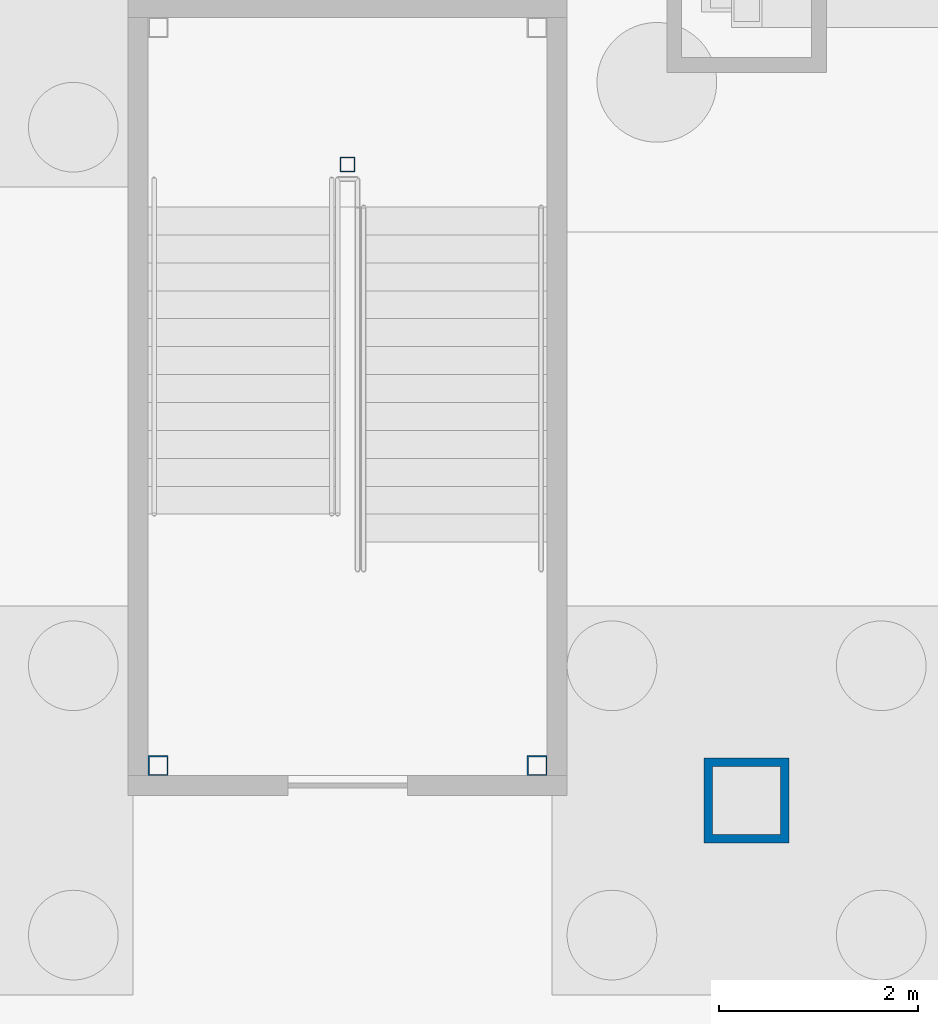
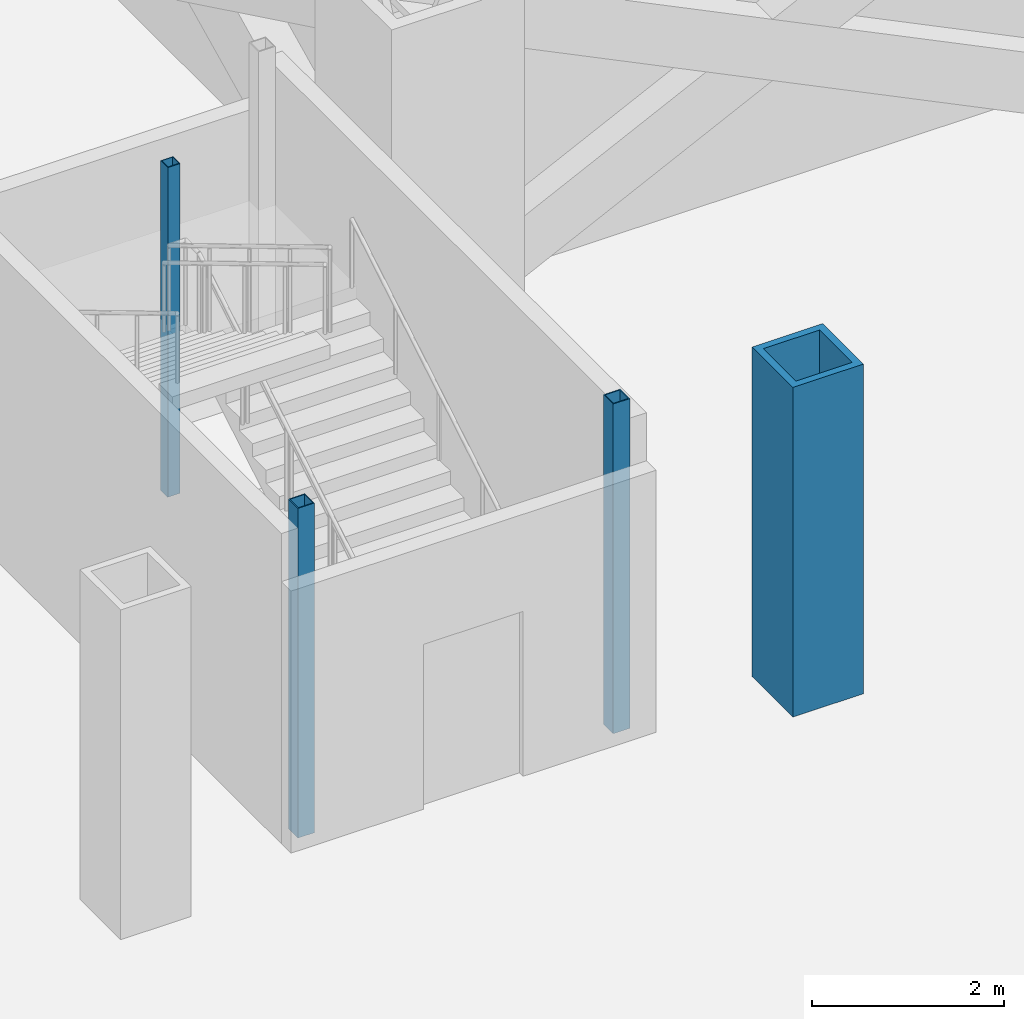
# One storey, part 4 of 17: 4 columns.
"""IFC4 building model written with IfcOpenShell, lengths in metres."""

from ifc_helpers import new_model, si_unit, direction, frame, origin, origin_2d, place, context, subcontext, project, spatial, hollow_rectangle, extrude, material, material_profile, profile_set, type_object, element, save


model = new_model("IFC4")

# Units and contexts
model_context = context("Model", 3, precision=1e-05, world=origin(), true_north=direction((0.0, 1.0)))
body_context = subcontext(model_context, "Body", "Model", "MODEL_VIEW")
ifc_project = project(units=[si_unit("LENGTHUNIT", "METRE"), si_unit("AREAUNIT", "SQUARE_METRE"), si_unit("VOLUMEUNIT", "CUBIC_METRE"), si_unit("PLANEANGLEUNIT", "RADIAN"), si_unit("MASSUNIT", "GRAM", prefix="KILO")], contexts=[model_context])

# Site, building, storey
site_placement = place(None, origin())
site = spatial("IfcSite", under=ifc_project, at=site_placement, CompositionType="ELEMENT")
building_placement = place(site_placement, origin())
building = spatial("IfcBuilding", under=site, at=building_placement, Name="Kopane Lantern Tower", CompositionType="ELEMENT")
storey_placement = place(building_placement, frame((0.0, 0.0, -8.39990234375)))
storey = spatial("IfcBuildingStorey", under=building, at=storey_placement, Name="L-02", CompositionType="ELEMENT", Elevation=-8.39990234375)

# Columns
ifc_material_1 = material(Name="Steel S355JR", Category="steel")
ifc_material_profile_1 = material_profile(ifc_material_1, hollow_rectangle(XDim=0.85009765625, YDim=0.85009765625, WallThickness=0.0849609375, at=origin_2d()), Name="BOX 850x850x85")
ifc_profile_set_1 = profile_set([ifc_material_profile_1], Name="Steel S355JR")
column_type_1 = type_object("IfcColumnType", Name="COLUMN BOX 850x850x85", PredefinedType="COLUMN", material=ifc_profile_set_1)
column_1_placement = place(storey_placement, frame((16.199951171875, 16.199951171875, 0.0), z_axis=(0.0, 0.0, 1.0), x_axis=(1.0, 0.0, 0.0)))
element("IfcColumn", 1, at=column_1_placement, inside=storey, type_object=column_type_1, Name="Column 4/D L-02", PredefinedType="COLUMN", context=body_context, shape_type="SweptSolid", body=[
    extrude(hollow_rectangle(XDim=0.85009765625, YDim=0.85009765625, WallThickness=0.0849609375, at=origin_2d()), origin(), (0.0, 0.0, 1.0), 4.199951171875),
])
ifc_material_2 = material(Name="Steel S355JR", Category="steel")
ifc_material_profile_2 = material_profile(ifc_material_2, hollow_rectangle(XDim=0.14990234375, YDim=0.14990234375, WallThickness=0.010009765625, at=origin_2d()), Name="BOX 150x150x10")
ifc_profile_set_2 = profile_set([ifc_material_profile_2], Name="Steel S355JR")
column_type_2 = type_object("IfcColumnType", Name="STAIR NEWEL POST BOX 150x150x10", PredefinedType="COLUMN", material=ifc_profile_set_2)
column_2_placement = place(storey_placement, frame((12.199951171875, 22.574951171875, 0.0), z_axis=(0.0, 0.0, 1.0), x_axis=(1.0, 0.0, 0.0)))
element("IfcColumn", 2, at=column_2_placement, inside=storey, type_object=column_type_2, Name="Stair newel post ST3 NEWEL L-02", PredefinedType="COLUMN", context=body_context, shape_type="SweptSolid", body=[
    extrude(hollow_rectangle(XDim=0.14990234375, YDim=0.14990234375, WallThickness=0.010009765625, at=origin_2d()), origin(), (0.0, 0.0, 1.0), 4.199951171875),
])
ifc_material_3 = material(Name="Steel S355JR", Category="steel")
ifc_material_profile_3 = material_profile(ifc_material_3, hollow_rectangle(XDim=0.199951171875, YDim=0.199951171875, WallThickness=0.011962890625, at=origin_2d()), Name="BOX 200x200x12")
ifc_profile_set_3 = profile_set([ifc_material_profile_3], Name="Steel S355JR")
column_type_3 = type_object("IfcColumnType", Name="STAIR POST BOX 200x200x12", PredefinedType="COLUMN", material=ifc_profile_set_3)
for number, where, z_axis, x_axis, name in (
    (3, (10.300048828125, 16.550048828125, 0.0), (0.0, 0.0, 1.0), (1.0, 0.0, 0.0), "Stair post ST3 SW L-02"),
    (4, (14.10009765625, 16.550048828125, 0.0), (0.0, 0.0, 1.0), (1.0, 0.0, 0.0), "Stair post ST3 SE L-02"),
):
    element("IfcColumn", number, at=place(storey_placement, frame(where, z_axis=z_axis, x_axis=x_axis)), inside=storey, type_object=column_type_3, Name=name, PredefinedType="COLUMN", context=body_context, shape_type="SweptSolid", body=[
        extrude(hollow_rectangle(XDim=0.199951171875, YDim=0.199951171875, WallThickness=0.011962890625, at=origin_2d()), origin(), (0.0, 0.0, 1.0), 4.199951171875),
    ])

save(model, "model.ifc")
